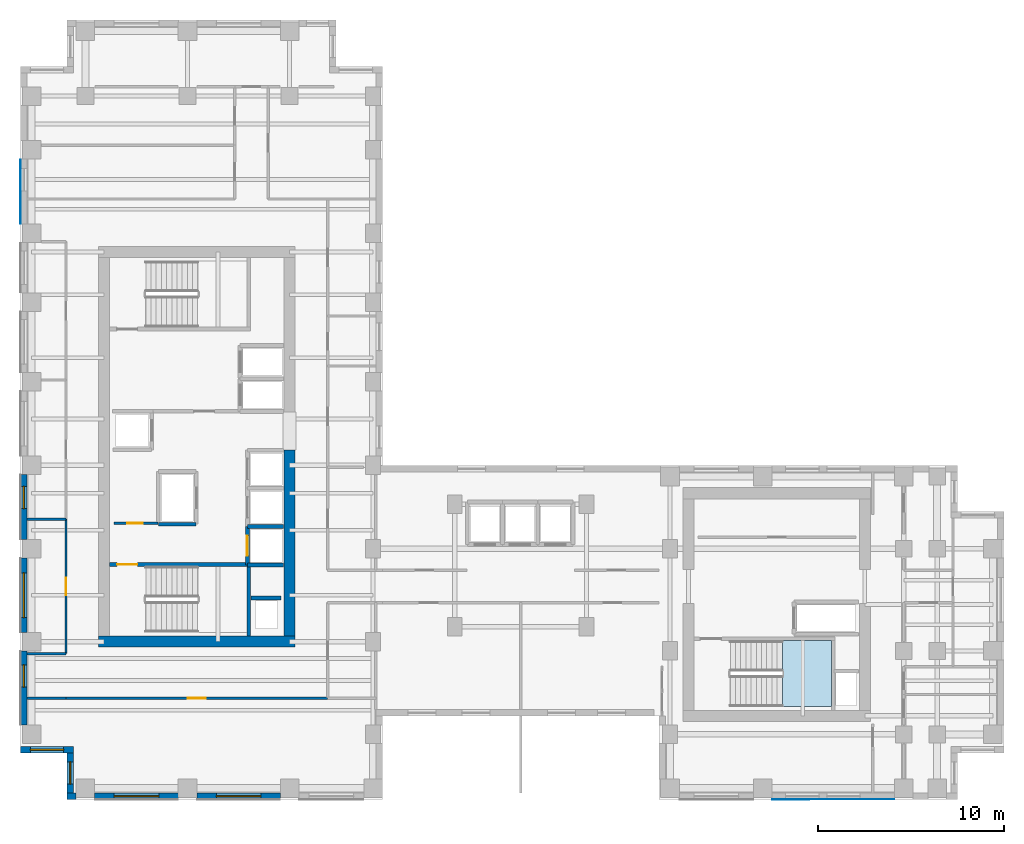
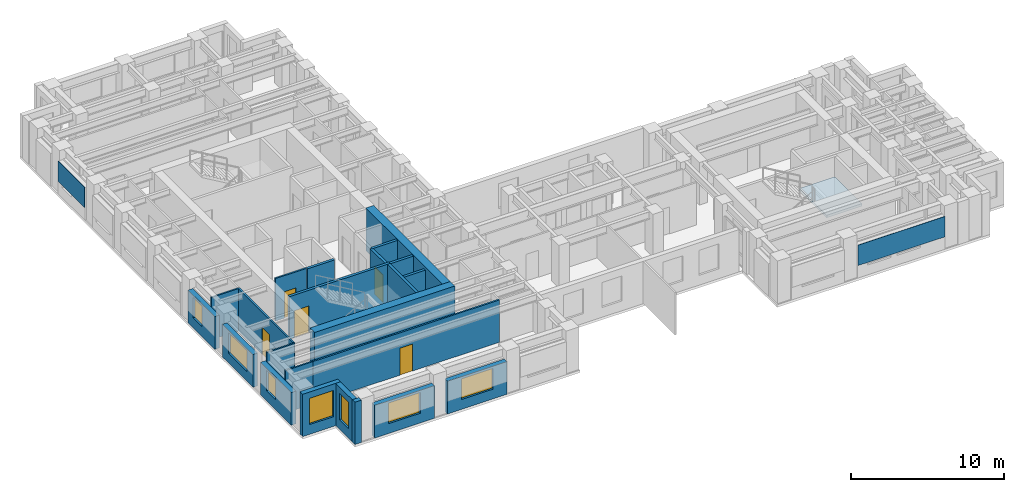
# One storey, part 4 of 12: 23 walls, 7 windows, 5 doors, 2 plates, 1 slab, 12 openings, 1 element without a shape of its own.
"""IFC4 building model written with IfcOpenShell, lengths in metres."""

from ifc_helpers import new_model, si_unit, direction, frame, frame_2d, origin, origin_2d, place, context, subcontext, project, spatial, polyline, rectangle, outline, extrude, source, transform, mapped, material, layer, layer_set, type_object, element, fill, aggregate, save


model = new_model("IFC4")

# Units and contexts
model_context = context("Model", 3, precision=1e-05, world=origin(), true_north=direction((0.0, 1.0)))
body_context = subcontext(model_context, "Body", "Model", "MODEL_VIEW")
ifc_project = project(units=[si_unit("LENGTHUNIT", "METRE"), si_unit("AREAUNIT", "SQUARE_METRE"), si_unit("VOLUMEUNIT", "CUBIC_METRE"), si_unit("PLANEANGLEUNIT", "RADIAN"), si_unit("MASSUNIT", "GRAM", prefix="KILO")], contexts=[model_context])

# Site, building, storey
site_placement = place(None, origin())
site = spatial("IfcSite", under=ifc_project, at=site_placement, CompositionType="ELEMENT")
building_placement = place(site_placement, origin())
building = spatial("IfcBuilding", under=site, at=building_placement, Name="Kharzan Plaza Tower", CompositionType="ELEMENT")
storey_placement = place(building_placement, frame((0.0, 0.0, 146.699951171875)))
storey = spatial("IfcBuildingStorey", under=building, at=storey_placement, Name="L39", CompositionType="ELEMENT", Elevation=146.699951171875)

# Stair, slab
ifc_material_1 = material(Name="Concrete C40/50", Category="concrete")
stair_type = type_object("IfcStairType", Name="STR-ST-3", PredefinedType="HALF_TURN_STAIR", material=ifc_material_1)
stair_placement = place(storey_placement, origin())
stair = element("IfcStair", 1, at=stair_placement, inside=storey, type_object=stair_type, Name="L39 Protected Exit Stair ST-3", PredefinedType="HALF_TURN_STAIR")
ifc_layer_1 = layer(ifc_material_1, 0.219970703125)
ifc_layer_set_1 = layer_set([ifc_layer_1], Name="Concrete C40/50")
slab_type = type_object("IfcSlabType", Name="SL-LANDING-220", PredefinedType="LANDING", material=ifc_layer_set_1)
slab_placement = place(storey_placement, frame((0.0, 0.0, 1.60009765625)))
slab = element("IfcSlab", 2, at=slab_placement, type_object=slab_type, Name="ST-3 landing 1", PredefinedType="LANDING", context=body_context, shape_type="SweptSolid", body=[
    extrude(outline(polyline([(41.050048828125, 5.0), (43.699951171875, 5.0), (43.699951171875, 8.550048828125), (41.050048828125, 8.550048828125), (41.050048828125, 5.0)])), origin(), (0.0, 0.0, 1.0), 0.199951171875),
])
aggregate(stair, [slab])

# Plates
ifc_material_2 = material(Name="Perforated Bronze-Anodized Aluminium", Category="aluminium")
ifc_layer_2 = layer(ifc_material_2, 0.030029296875)
ifc_layer_set_2 = layer_set([ifc_layer_2], Name="Perforated Bronze-Anodized Aluminium")
plate_type = type_object("IfcPlateType", Name="PLT-MASH-SCREEN", PredefinedType="SHEET", material=ifc_layer_set_2)
shared_shape_1 = source(origin(), body_context, "Body", "SweptSolid", [
    extrude(rectangle(XDim=3.464111328125, YDim=0.030029296875, at=origin_2d()), origin(), (0.0, 0.0, 1.0), 1.632080078125),
])
plate_1_placement = place(storey_placement, frame((-0.012939453125, 32.75, 1.01416015625), z_axis=(0.0, 0.0, 1.0), x_axis=(0.0, -1.0, 0.0)))
element("IfcPlate", 3, at=plate_1_placement, inside=storey, type_object=plate_type, Name="L39 Perforated Mashrabiya Solar Screen", PredefinedType="SHEET", context=body_context, shape_type="MappedRepresentation", body=[
    mapped(shared_shape_1, transform((0.0, 0.0, 0.0), x_axis=(1.0, 0.0, 0.0), y_axis=(0.0, 1.0, 0.0), z_axis=(0.0, 0.0, 1.0))),
])
shared_shape_2 = source(origin(), body_context, "Body", "SweptSolid", [
    extrude(rectangle(XDim=6.56396484375, YDim=0.030029296875, at=origin_2d()), origin(), (0.0, 0.0, 1.0), 1.632080078125),
])
plate_2_placement = place(storey_placement, frame((43.800048828125, -0.012939453125, 1.01416015625), z_axis=(0.0, 0.0, 1.0), x_axis=(1.0, 0.0, 0.0)))
element("IfcPlate", 4, at=plate_2_placement, inside=storey, type_object=plate_type, Name="L39 Perforated Mashrabiya Solar Screen", PredefinedType="SHEET", context=body_context, shape_type="MappedRepresentation", body=[
    mapped(shared_shape_2, transform((0.0, 0.0, 0.0), x_axis=(1.0, 0.0, 0.0), y_axis=(0.0, 1.0, 0.0), z_axis=(0.0, 0.0, 1.0))),
])

# Wall, opening, window
ifc_layer_3 = layer(ifc_material_1, 0.35009765625)
ifc_layer_set_3 = layer_set([ifc_layer_3], Name="Concrete C40/50")
wall_type_1 = type_object("IfcWallType", Name="WL-EXT-MAS-Z3", PredefinedType="SOLIDWALL", material=ifc_layer_set_3)
wall_1_placement = place(storey_placement, frame((0.175048828125, 17.501953125, 0.0), z_axis=(0.0, 0.0, 1.0), x_axis=(0.0, -1.0, 0.0)))
wall_1 = element("IfcWall", 5, at=wall_1_placement, inside=storey, type_object=wall_type_1, Name="L39 Masonry-Frame Exterior Wall 15", PredefinedType="SOLIDWALL", context=body_context, shape_type="SweptSolid", body=[
    extrude(rectangle(XDim=3.50390625, YDim=0.35009765625, at=frame_2d((1.751953125, 0.0))), origin(), (0.0, 0.0, 1.0), 2.612060546875),
])
opening_1_placement = place(wall_1_placement, frame((0.635986328125, 0.0, 0.780029296875)))
opening_1 = element("IfcOpeningElement", 6, at=opening_1_placement, cuts=wall_1, Name="Opening W3", PredefinedType="OPENING", context=body_context, shape_type="SweptSolid", body=[
    extrude(rectangle(XDim=1.199951171875, YDim=1.652099609375, at=frame_2d((0.60009765625, 0.826171875))), frame((0.0, 0.18505859375, 0.0), z_axis=(0.0, -1.0, 0.0), x_axis=(1.0, 0.0, 0.0)), (0.0, 0.0, 1.0), 0.3701171875),
])
ifc_material_3 = material(Name="Low-E Double Glazing", Category="glass")
window_type_1 = type_object("IfcWindowType", Name="WN-REC-1200x2100", PartitioningType="SINGLE_PANEL", PredefinedType="WINDOW", material=ifc_material_3)
shared_shape_3 = source(origin(), body_context, "Body", "SweptSolid", [
    extrude(rectangle(XDim=1.199951171875, YDim=1.652099609375, at=frame_2d((0.60009765625, 0.826171875))), frame((0.0, 0.030029296875, 0.0), z_axis=(0.0, -1.0, 0.0), x_axis=(1.0, 0.0, 0.0)), (0.0, 0.0, 1.0), 0.06005859375),
])
window_1_placement = place(opening_1_placement, origin())
window_1 = element("IfcWindow", 7, at=window_1_placement, inside=storey, type_object=window_type_1, Name="L39 Recessed Solar-Control Window 15-1", OverallHeight=1.652099609375, OverallWidth=1.199951171875, PartitioningType="SINGLE_PANEL", PredefinedType="WINDOW", context=body_context, shape_type="MappedRepresentation", body=[
    mapped(shared_shape_3, transform((0.0, 0.0, 0.0), x_axis=(1.0, 0.0, 0.0), y_axis=(0.0, 1.0, 0.0), z_axis=(0.0, 0.0, 1.0))),
])
fill(opening_1, window_1)

wall_2_placement = place(storey_placement, frame((0.175048828125, 13.001953125, 0.0), z_axis=(0.0, 0.0, 1.0), x_axis=(0.0, -1.0, 0.0)))
wall_2 = element("IfcWall", 8, at=wall_2_placement, inside=storey, type_object=wall_type_1, Name="L39 Masonry-Frame Exterior Wall 16", PredefinedType="SOLIDWALL", context=body_context, shape_type="SweptSolid", body=[
    extrude(rectangle(XDim=4.00390625, YDim=0.35009765625, at=frame_2d((2.001953125, 0.0))), origin(), (0.0, 0.0, 1.0), 2.612060546875),
])
opening_2_placement = place(wall_2_placement, frame((0.802001953125, 0.0, 0.780029296875)))
opening_2 = element("IfcOpeningElement", 9, at=opening_2_placement, cuts=wall_2, Name="Opening W2", PredefinedType="OPENING", context=body_context, shape_type="SweptSolid", body=[
    extrude(rectangle(XDim=2.39990234375, YDim=1.652099609375, at=frame_2d((1.199951171875, 0.826171875))), frame((0.0, 0.18505859375, 0.0), z_axis=(0.0, -1.0, 0.0), x_axis=(1.0, 0.0, 0.0)), (0.0, 0.0, 1.0), 0.3701171875),
])
window_type_2 = type_object("IfcWindowType", Name="WN-REC-2400x2100", PartitioningType="SINGLE_PANEL", PredefinedType="WINDOW", material=ifc_material_3)
shared_shape_4 = source(origin(), body_context, "Body", "SweptSolid", [
    extrude(rectangle(XDim=2.39990234375, YDim=1.652099609375, at=frame_2d((1.199951171875, 0.826171875))), frame((0.0, 0.030029296875, 0.0), z_axis=(0.0, -1.0, 0.0), x_axis=(1.0, 0.0, 0.0)), (0.0, 0.0, 1.0), 0.06005859375),
])
window_2_placement = place(opening_2_placement, origin())
window_2 = element("IfcWindow", 10, at=window_2_placement, inside=storey, type_object=window_type_2, Name="L39 Wide Recessed Solar-Control Window 16-1", OverallHeight=1.652099609375, OverallWidth=2.39990234375, PartitioningType="SINGLE_PANEL", PredefinedType="WINDOW", context=body_context, shape_type="MappedRepresentation", body=[
    mapped(shared_shape_4, transform((0.0, 0.0, 0.0), x_axis=(1.0, 0.0, 0.0), y_axis=(0.0, 1.0, 0.0), z_axis=(0.0, 0.0, 1.0))),
])
fill(opening_2, window_2)

wall_3_placement = place(storey_placement, frame((0.175048828125, 8.001953125, 0.0), z_axis=(0.0, 0.0, 1.0), x_axis=(0.0, -1.0, 0.0)))
wall_3 = element("IfcWall", 11, at=wall_3_placement, inside=storey, type_object=wall_type_1, Name="L39 Masonry-Frame Exterior Wall 17", PredefinedType="SOLIDWALL", context=body_context, shape_type="SweptSolid", body=[
    extrude(rectangle(XDim=4.00390625, YDim=0.35009765625, at=frame_2d((2.001953125, 0.0))), origin(), (0.0, 0.0, 1.0), 2.612060546875),
])
opening_3_placement = place(wall_3_placement, frame((0.751953125, 0.0, 0.780029296875)))
opening_3 = element("IfcOpeningElement", 12, at=opening_3_placement, cuts=wall_3, Name="Opening W3", PredefinedType="OPENING", context=body_context, shape_type="SweptSolid", body=[
    extrude(rectangle(XDim=1.199951171875, YDim=1.652099609375, at=frame_2d((0.60009765625, 0.826171875))), frame((0.0, 0.18505859375, 0.0), z_axis=(0.0, -1.0, 0.0), x_axis=(1.0, 0.0, 0.0)), (0.0, 0.0, 1.0), 0.3701171875),
])
window_3_placement = place(opening_3_placement, origin())
window_3 = element("IfcWindow", 13, at=window_3_placement, inside=storey, type_object=window_type_1, Name="L39 Recessed Solar-Control Window 17-1", OverallHeight=1.652099609375, OverallWidth=1.199951171875, PartitioningType="SINGLE_PANEL", PredefinedType="WINDOW", context=body_context, shape_type="MappedRepresentation", body=[
    mapped(shared_shape_3, transform((0.0, 0.0, 0.0), x_axis=(1.0, 0.0, 0.0), y_axis=(0.0, 1.0, 0.0), z_axis=(0.0, 0.0, 1.0))),
])
fill(opening_3, window_3)

wall_4_placement = place(storey_placement, frame((0.0, 2.675048828125, 0.0), z_axis=(0.0, 0.0, 1.0), x_axis=(1.0, 0.0, 0.0)))
wall_4 = element("IfcWall", 14, at=wall_4_placement, inside=storey, type_object=wall_type_1, Name="L39 Masonry-Frame Exterior Wall 18", PredefinedType="SOLIDWALL", context=body_context, shape_type="SweptSolid", body=[
    extrude(rectangle(XDim=2.85009765625, YDim=0.35009765625, at=frame_2d((1.425048828125, 0.0))), origin(), (0.0, 0.0, 1.0), 3.385009765625),
])
opening_4_placement = place(wall_4_placement, frame((0.52490234375, 0.0, 0.780029296875)))
opening_4 = element("IfcOpeningElement", 15, at=opening_4_placement, cuts=wall_4, Name="Opening W1", PredefinedType="OPENING", context=body_context, shape_type="SweptSolid", body=[
    extrude(rectangle(XDim=1.800048828125, YDim=2.10009765625, at=frame_2d((0.89990234375, 1.050048828125))), frame((0.0, 0.18505859375, 0.0), z_axis=(0.0, -1.0, 0.0), x_axis=(1.0, 0.0, 0.0)), (0.0, 0.0, 1.0), 0.3701171875),
])
window_type_3 = type_object("IfcWindowType", Name="WN-REC-1800x2100", PartitioningType="SINGLE_PANEL", PredefinedType="WINDOW", material=ifc_material_3)
shared_shape_5 = source(origin(), body_context, "Body", "SweptSolid", [
    extrude(rectangle(XDim=1.800048828125, YDim=2.10009765625, at=frame_2d((0.89990234375, 1.050048828125))), frame((0.0, 0.030029296875, 0.0), z_axis=(0.0, -1.0, 0.0), x_axis=(1.0, 0.0, 0.0)), (0.0, 0.0, 1.0), 0.06005859375),
])
window_4_placement = place(opening_4_placement, origin())
window_4 = element("IfcWindow", 16, at=window_4_placement, inside=storey, type_object=window_type_3, Name="L39 Recessed Solar-Control Window 18-1", OverallHeight=2.10009765625, OverallWidth=1.800048828125, PartitioningType="SINGLE_PANEL", PredefinedType="WINDOW", context=body_context, shape_type="MappedRepresentation", body=[
    mapped(shared_shape_5, transform((0.0, 0.0, 0.0), x_axis=(1.0, 0.0, 0.0), y_axis=(0.0, 1.0, 0.0), z_axis=(0.0, 0.0, 1.0))),
])
fill(opening_4, window_4)

wall_5_placement = place(storey_placement, frame((2.675048828125, 2.501953125, 0.0), z_axis=(0.0, 0.0, 1.0), x_axis=(0.0, -1.0, 0.0)))
wall_5 = element("IfcWall", 17, at=wall_5_placement, inside=storey, type_object=wall_type_1, Name="L39 Masonry-Frame Exterior Wall 19", PredefinedType="SOLIDWALL", context=body_context, shape_type="SweptSolid", body=[
    extrude(rectangle(XDim=2.154052734375, YDim=0.35009765625, at=frame_2d((1.0771484375, 0.0))), origin(), (0.0, 0.0, 1.0), 3.385009765625),
])
opening_5_placement = place(wall_5_placement, frame((0.47705078125, 0.0, 0.780029296875)))
opening_5 = element("IfcOpeningElement", 18, at=opening_5_placement, cuts=wall_5, Name="Opening W3", PredefinedType="OPENING", context=body_context, shape_type="SweptSolid", body=[
    extrude(rectangle(XDim=1.199951171875, YDim=2.10009765625, at=frame_2d((0.60009765625, 1.050048828125))), frame((0.0, 0.18505859375, 0.0), z_axis=(0.0, -1.0, 0.0), x_axis=(1.0, 0.0, 0.0)), (0.0, 0.0, 1.0), 0.3701171875),
])
shared_shape_6 = source(origin(), body_context, "Body", "SweptSolid", [
    extrude(rectangle(XDim=1.199951171875, YDim=2.10009765625, at=frame_2d((0.60009765625, 1.050048828125))), frame((0.0, 0.030029296875, 0.0), z_axis=(0.0, -1.0, 0.0), x_axis=(1.0, 0.0, 0.0)), (0.0, 0.0, 1.0), 0.06005859375),
])
window_5_placement = place(opening_5_placement, origin())
window_5 = element("IfcWindow", 19, at=window_5_placement, inside=storey, type_object=window_type_1, Name="L39 Recessed Solar-Control Window 19-1", OverallHeight=2.10009765625, OverallWidth=1.199951171875, PartitioningType="SINGLE_PANEL", PredefinedType="WINDOW", context=body_context, shape_type="MappedRepresentation", body=[
    mapped(shared_shape_6, transform((0.0, 0.0, 0.0), x_axis=(1.0, 0.0, 0.0), y_axis=(0.0, 1.0, 0.0), z_axis=(0.0, 0.0, 1.0))),
])
fill(opening_5, window_5)

wall_6_placement = place(storey_placement, frame((3.998046875, 0.175048828125, 0.0), z_axis=(0.0, 0.0, 1.0), x_axis=(1.0, 0.0, 0.0)))
wall_6 = element("IfcWall", 20, at=wall_6_placement, inside=storey, type_object=wall_type_1, Name="L39 Masonry-Frame Exterior Wall 21", PredefinedType="SOLIDWALL", context=body_context, shape_type="SweptSolid", body=[
    extrude(rectangle(XDim=4.50390625, YDim=0.35009765625, at=frame_2d((2.251953125, 0.0))), origin(), (0.0, 0.0, 1.0), 2.612060546875),
])
opening_6_placement = place(wall_6_placement, frame((1.052001953125, 0.0, 0.780029296875)))
opening_6 = element("IfcOpeningElement", 21, at=opening_6_placement, cuts=wall_6, Name="Opening W2", PredefinedType="OPENING", context=body_context, shape_type="SweptSolid", body=[
    extrude(rectangle(XDim=2.39990234375, YDim=1.652099609375, at=frame_2d((1.199951171875, 0.826171875))), frame((0.0, 0.18505859375, 0.0), z_axis=(0.0, -1.0, 0.0), x_axis=(1.0, 0.0, 0.0)), (0.0, 0.0, 1.0), 0.3701171875),
])
window_6_placement = place(opening_6_placement, origin())
window_6 = element("IfcWindow", 22, at=window_6_placement, inside=storey, type_object=window_type_2, Name="L39 Wide Recessed Solar-Control Window 21-1", OverallHeight=1.652099609375, OverallWidth=2.39990234375, PartitioningType="SINGLE_PANEL", PredefinedType="WINDOW", context=body_context, shape_type="MappedRepresentation", body=[
    mapped(shared_shape_4, transform((0.0, 0.0, 0.0), x_axis=(1.0, 0.0, 0.0), y_axis=(0.0, 1.0, 0.0), z_axis=(0.0, 0.0, 1.0))),
])
fill(opening_6, window_6)

wall_7_placement = place(storey_placement, frame((9.498046875, 0.175048828125, 0.0), z_axis=(0.0, 0.0, 1.0), x_axis=(1.0, 0.0, 0.0)))
wall_7 = element("IfcWall", 23, at=wall_7_placement, inside=storey, type_object=wall_type_1, Name="L39 Masonry-Frame Exterior Wall 22", PredefinedType="SOLIDWALL", context=body_context, shape_type="SweptSolid", body=[
    extrude(rectangle(XDim=4.50390625, YDim=0.35009765625, at=frame_2d((2.251953125, 0.0))), origin(), (0.0, 0.0, 1.0), 2.612060546875),
])
opening_7_placement = place(wall_7_placement, frame((1.052001953125, 0.0, 0.780029296875)))
opening_7 = element("IfcOpeningElement", 24, at=opening_7_placement, cuts=wall_7, Name="Opening W2", PredefinedType="OPENING", context=body_context, shape_type="SweptSolid", body=[
    extrude(rectangle(XDim=2.39990234375, YDim=1.652099609375, at=frame_2d((1.199951171875, 0.826171875))), frame((0.0, 0.18505859375, 0.0), z_axis=(0.0, -1.0, 0.0), x_axis=(1.0, 0.0, 0.0)), (0.0, 0.0, 1.0), 0.3701171875),
])
window_7_placement = place(opening_7_placement, origin())
window_7 = element("IfcWindow", 25, at=window_7_placement, inside=storey, type_object=window_type_2, Name="L39 Wide Recessed Solar-Control Window 22-1", OverallHeight=1.652099609375, OverallWidth=2.39990234375, PartitioningType="SINGLE_PANEL", PredefinedType="WINDOW", context=body_context, shape_type="MappedRepresentation", body=[
    mapped(shared_shape_4, transform((0.0, 0.0, 0.0), x_axis=(1.0, 0.0, 0.0), y_axis=(0.0, 1.0, 0.0), z_axis=(0.0, 0.0, 1.0))),
])
fill(opening_7, window_7)

# Wall, opening, door
ifc_material_4 = material(Name="Fire-Rated Gypsum Board Partition", Category="gypsum")
ifc_layer_4 = layer(ifc_material_4, 0.125)
ifc_layer_set_4 = layer_set([ifc_layer_4], Name="Fire-Rated Gypsum Board Partition")
wall_type_2 = type_object("IfcWallType", Name="WL-INT-PART-125", PredefinedType="PARTITIONING", material=ifc_layer_set_4)
wall_8_placement = place(storey_placement, frame((5.050048828125, 14.8798828125, 0.0), z_axis=(0.0, 0.0, 1.0), x_axis=(1.0, 0.0, 0.0)))
wall_8 = element("IfcWall", 26, at=wall_8_placement, inside=storey, type_object=wall_type_2, Name="L39 Interior Partition CA-K0", PredefinedType="PARTITIONING", context=body_context, shape_type="SweptSolid", body=[
    extrude(rectangle(XDim=2.349853515625, YDim=0.125, at=frame_2d((1.1748046875, 0.0))), origin(), (0.0, 0.0, 1.0), 3.385009765625),
])
opening_8_placement = place(wall_8_placement, frame((0.699951171875, 0.0, 0.0)))
opening_8 = element("IfcOpeningElement", 27, at=opening_8_placement, cuts=wall_8, Name="Opening RD1", PredefinedType="OPENING", context=body_context, shape_type="SweptSolid", body=[
    extrude(rectangle(XDim=0.85009765625, YDim=2.10009765625, at=frame_2d((0.425048828125, 1.050048828125))), frame((0.0, 0.072509765625, 0.0), z_axis=(0.0, -1.0, 0.0), x_axis=(1.0, 0.0, 0.0)), (0.0, 0.0, 1.0), 0.14501953125),
])
ifc_material_5 = material(Name="Powder-Coated Fire-Rated Steel", Category="steel")
door_type_1 = type_object("IfcDoorType", Name="DR-RISER-900", OperationType="NOTDEFINED", PredefinedType="DOOR", material=ifc_material_5)
shared_shape_7 = source(origin(), body_context, "Body", "SweptSolid", [
    extrude(rectangle(XDim=0.85009765625, YDim=2.10009765625, at=frame_2d((0.425048828125, 1.050048828125))), frame((0.0, 0.02490234375, 0.0), z_axis=(0.0, -1.0, 0.0), x_axis=(1.0, 0.0, 0.0)), (0.0, 0.0, 1.0), 0.050048828125),
])
door_1_placement = place(opening_8_placement, origin())
door_1 = element("IfcDoor", 28, at=door_1_placement, inside=storey, type_object=door_type_1, Name="L39 Cleaners Store Door", OperationType="SINGLE_SWING_RIGHT", OverallHeight=2.10009765625, OverallWidth=0.85009765625, PredefinedType="DOOR", context=body_context, shape_type="MappedRepresentation", body=[
    mapped(shared_shape_7, transform((0.0, 0.0, 0.0), x_axis=(1.0, 0.0, 0.0), y_axis=(0.0, 1.0, 0.0), z_axis=(0.0, 0.0, 1.0))),
])
fill(opening_8, door_1)

wall_9_placement = place(storey_placement, frame((2.449951171875, 5.449951171875, 0.0), z_axis=(0.0, 0.0, 1.0), x_axis=(1.0, 0.0, 0.0)))
wall_9 = element("IfcWall", 29, at=wall_9_placement, inside=storey, type_object=wall_type_2, Name="L39 Interior Partition SH-SS-1", PredefinedType="PARTITIONING", context=body_context, shape_type="SweptSolid", body=[
    extrude(rectangle(XDim=14.10009765625, YDim=0.125, at=frame_2d((7.050048828125, 0.0))), origin(), (0.0, 0.0, 1.0), 3.385009765625),
])
opening_9_placement = place(wall_9_placement, frame((6.574951171875, 0.0, 0.0)))
opening_9 = element("IfcOpeningElement", 30, at=opening_9_placement, cuts=wall_9, Name="Opening OD1", PredefinedType="OPENING", context=body_context, shape_type="SweptSolid", body=[
    extrude(rectangle(XDim=0.949951171875, YDim=2.14990234375, at=frame_2d((0.47509765625, 1.074951171875))), frame((0.0, 0.072509765625, 0.0), z_axis=(0.0, -1.0, 0.0), x_axis=(1.0, 0.0, 0.0)), (0.0, 0.0, 1.0), 0.14501953125),
])
ifc_material_6 = material(Name="Acoustic Solid-Core Stained Oak", Category="timber")
door_type_2 = type_object("IfcDoorType", Name="DR-OFF-SINGLE", OperationType="NOTDEFINED", PredefinedType="DOOR", material=ifc_material_6)
shared_shape_8 = source(origin(), body_context, "Body", "SweptSolid", [
    extrude(rectangle(XDim=0.949951171875, YDim=2.14990234375, at=frame_2d((0.47509765625, 1.074951171875))), frame((0.0, 0.02490234375, 0.0), z_axis=(0.0, -1.0, 0.0), x_axis=(1.0, 0.0, 0.0)), (0.0, 0.0, 1.0), 0.050048828125),
])
door_2_placement = place(opening_9_placement, origin())
door_2 = element("IfcDoor", 31, at=door_2_placement, inside=storey, type_object=door_type_2, Name="L39 Staff Tea Pantry Door", OperationType="SINGLE_SWING_RIGHT", OverallHeight=2.14990234375, OverallWidth=0.949951171875, PredefinedType="DOOR", context=body_context, shape_type="MappedRepresentation", body=[
    mapped(shared_shape_8, transform((0.0, 0.0, 0.0), x_axis=(1.0, 0.0, 0.0), y_axis=(0.0, 1.0, 0.0), z_axis=(0.0, 0.0, 1.0))),
])
fill(opening_9, door_2)

wall_10_placement = place(storey_placement, frame((2.449951171875, 7.85009765625, 0.0), z_axis=(0.0, 0.0, 1.0), x_axis=(0.0, 1.0, 0.0)))
wall_10 = element("IfcWall", 32, at=wall_10_placement, inside=storey, type_object=wall_type_2, Name="L39 Interior Partition SH-WW-1", PredefinedType="PARTITIONING", context=body_context, shape_type="SweptSolid", body=[
    extrude(rectangle(XDim=7.25, YDim=0.125, at=frame_2d((3.625, 0.0))), origin(), (0.0, 0.0, 1.0), 3.385009765625),
])
opening_10_placement = place(wall_10_placement, frame((3.14990234375, 0.0, 0.0)))
opening_10 = element("IfcOpeningElement", 33, at=opening_10_placement, cuts=wall_10, Name="Opening OD1", PredefinedType="OPENING", context=body_context, shape_type="SweptSolid", body=[
    extrude(rectangle(XDim=0.949951171875, YDim=2.14990234375, at=frame_2d((0.47509765625, 1.074951171875))), frame((0.0, 0.072509765625, 0.0), z_axis=(0.0, -1.0, 0.0), x_axis=(1.0, 0.0, 0.0)), (0.0, 0.0, 1.0), 0.14501953125),
])
door_3_placement = place(opening_10_placement, origin())
door_3 = element("IfcDoor", 34, at=door_3_placement, inside=storey, type_object=door_type_2, Name="L39 Client Briefing Room Door", OperationType="SINGLE_SWING_LEFT", OverallHeight=2.14990234375, OverallWidth=0.949951171875, PredefinedType="DOOR", context=body_context, shape_type="MappedRepresentation", body=[
    mapped(shared_shape_8, transform((0.0, 0.0, 0.0), x_axis=(1.0, 0.0, 0.0), y_axis=(0.0, 1.0, 0.0), z_axis=(0.0, 0.0, 1.0))),
])
fill(opening_10, door_3)

ifc_layer_5 = layer(ifc_material_1, 0.199951171875)
ifc_layer_set_5 = layer_set([ifc_layer_5], Name="Concrete C40/50")
wall_type_3 = type_object("IfcWallType", Name="WL-INT-SHAFT-200", PredefinedType="PARTITIONING", material=ifc_layer_set_5)
wall_11_placement = place(storey_placement, frame((12.22998046875, 12.6298828125, 0.0), z_axis=(0.0, 0.0, 1.0), x_axis=(0.0, 1.0, 0.0)))
wall_11 = element("IfcWall", 35, at=wall_11_placement, inside=storey, type_object=wall_type_3, Name="L39 Interior Partition SHF-PL-H1-W", PredefinedType="PARTITIONING", context=body_context, shape_type="SweptSolid", body=[
    extrude(rectangle(XDim=2.070068359375, YDim=0.199951171875, at=frame_2d((1.03515625, 0.0))), origin(), (0.0, 0.0, 1.0), 3.385009765625),
])
opening_11_placement = place(wall_11_placement, frame((0.485107421875, 0.0, 0.0)))
opening_11 = element("IfcOpeningElement", 36, at=opening_11_placement, cuts=wall_11, Name="Opening LD", PredefinedType="OPENING", context=body_context, shape_type="SweptSolid", body=[
    extrude(rectangle(XDim=1.10009765625, YDim=2.199951171875, at=frame_2d((0.550048828125, 1.10009765625))), frame((0.0, 0.10986328125, 0.0), z_axis=(0.0, -1.0, 0.0), x_axis=(1.0, 0.0, 0.0)), (0.0, 0.0, 1.0), 0.219970703125),
])
ifc_material_7 = material(Name="Brushed Stainless Steel", Category="steel")
door_type_3 = type_object("IfcDoorType", Name="DR-LIFT-SLIDE", OperationType="SLIDING_TO_LEFT", PredefinedType="DOOR", material=ifc_material_7)
shared_shape_9 = source(origin(), body_context, "Body", "SweptSolid", [
    extrude(rectangle(XDim=1.10009765625, YDim=2.199951171875, at=frame_2d((0.550048828125, 1.10009765625))), frame((0.0, 0.02490234375, 0.0), z_axis=(0.0, -1.0, 0.0), x_axis=(1.0, 0.0, 0.0)), (0.0, 0.0, 1.0), 0.050048828125),
])
door_4_placement = place(opening_11_placement, origin())
door_4 = element("IfcDoor", 37, at=door_4_placement, inside=storey, type_object=door_type_3, Name="L39 High-Rise Passenger Lift PL-H1 Sliding Landing Door", OperationType="SLIDING_TO_LEFT", OverallHeight=2.199951171875, OverallWidth=1.10009765625, PredefinedType="DOOR", context=body_context, shape_type="MappedRepresentation", body=[
    mapped(shared_shape_9, transform((0.0, 0.0, 0.0), x_axis=(1.0, 0.0, 0.0), y_axis=(0.0, 1.0, 0.0), z_axis=(0.0, 0.0, 1.0))),
])
fill(opening_11, door_4)

ifc_material_8 = material(Name="Concrete C50/60", Category="concrete")
ifc_layer_6 = layer(ifc_material_8, 0.199951171875)
ifc_layer_set_6 = layer_set([ifc_layer_6], Name="Concrete C50/60")
wall_type_4 = type_object("IfcWallType", Name="WL-SHAFT-RC200", PredefinedType="SHEAR", material=ifc_layer_set_6)
wall_12_placement = place(storey_placement, frame((4.802001953125, 12.655029296875, 0.0), z_axis=(0.0, 0.0, 1.0), x_axis=(1.0, 0.0, 0.0)))
wall_12 = element("IfcWall", 38, at=wall_12_placement, inside=storey, type_object=wall_type_4, Name="L39 Stair ST-1 North RC Shaft Wall", PredefinedType="SHEAR", context=body_context, shape_type="SweptSolid", body=[
    extrude(rectangle(XDim=7.60302734375, YDim=0.199951171875, at=frame_2d((3.801513671875, 0.0))), origin(), (0.0, 0.0, 1.0), 3.400146484375),
])
opening_12_placement = place(wall_12_placement, frame((0.39990234375, 0.0, 0.0)))
opening_12 = element("IfcOpeningElement", 39, at=opening_12_placement, cuts=wall_12, Name="Opening SD1", PredefinedType="OPENING", context=body_context, shape_type="SweptSolid", body=[
    extrude(rectangle(XDim=1.10009765625, YDim=2.14990234375, at=frame_2d((0.550048828125, 1.074951171875))), frame((0.0, 0.10986328125, 0.0), z_axis=(0.0, -1.0, 0.0), x_axis=(1.0, 0.0, 0.0)), (0.0, 0.0, 1.0), 0.219970703125),
])
ifc_material_9 = material(Name="Fire-Rated Hollow Galvanized Steel", Category="steel")
door_type_4 = type_object("IfcDoorType", Name="DR-STAIR-FD120", OperationType="NOTDEFINED", PredefinedType="DOOR", material=ifc_material_9)
shared_shape_10 = source(origin(), body_context, "Body", "SweptSolid", [
    extrude(rectangle(XDim=1.10009765625, YDim=2.14990234375, at=frame_2d((0.550048828125, 1.074951171875))), frame((0.0, 0.02490234375, 0.0), z_axis=(0.0, -1.0, 0.0), x_axis=(1.0, 0.0, 0.0)), (0.0, 0.0, 1.0), 0.050048828125),
])
door_5_placement = place(opening_12_placement, origin())
door_5 = element("IfcDoor", 40, at=door_5_placement, inside=storey, type_object=door_type_4, Name="L39 Stair ST-1 Fire Exit Door", OperationType="SINGLE_SWING_LEFT", OverallHeight=2.14990234375, OverallWidth=1.10009765625, PredefinedType="DOOR", context=body_context, shape_type="MappedRepresentation", body=[
    mapped(shared_shape_10, transform((0.0, 0.0, 0.0), x_axis=(1.0, 0.0, 0.0), y_axis=(0.0, 1.0, 0.0), z_axis=(0.0, 0.0, 1.0))),
])
fill(opening_12, door_5)

# Walls
shared_shape_11 = source(origin(), body_context, "Body", "SweptSolid", [
    extrude(rectangle(XDim=0.501953125, YDim=0.35009765625, at=frame_2d((0.2509765625, 0.0))), origin(), (0.0, 0.0, 1.0), 3.385009765625),
])
wall_13_placement = place(storey_placement, frame((2.5, 0.175048828125, 0.0), z_axis=(0.0, 0.0, 1.0), x_axis=(1.0, 0.0, 0.0)))
element("IfcWall", 41, at=wall_13_placement, inside=storey, type_object=wall_type_1, Name="L39 Masonry-Frame Exterior Wall 20", PredefinedType="SOLIDWALL", context=body_context, shape_type="MappedRepresentation", body=[
    mapped(shared_shape_11, transform((0.0, 0.0, 0.0), x_axis=(1.0, 0.0, 0.0), y_axis=(0.0, 1.0, 0.0), z_axis=(0.0, 0.0, 1.0))),
])
shared_shape_12 = source(origin(), body_context, "Body", "SweptSolid", [
    extrude(rectangle(XDim=2.097900390625, YDim=0.125, at=frame_2d((1.048828125, 0.0))), origin(), (0.0, 0.0, 1.0), 3.385009765625),
])
for number, where, z_axis, x_axis, name in (
    (42, (0.35205078125, 7.85009765625, 0.0), (0.0, 0.0, 1.0), (1.0, 0.0, 0.0), "L39 Interior Partition SH-RWS0"),
    (43, (0.35205078125, 5.449951171875, 0.0), (0.0, 0.0, 1.0), (1.0, 0.0, 0.0), "L39 Interior Partition SH-SS-EXT"),
    (44, (0.35205078125, 15.10009765625, 0.0), (0.0, 0.0, 1.0), (1.0, 0.0, 0.0), "L39 Interior Partition SH-WH-1"),
):
    element("IfcWall", number, at=place(storey_placement, frame(where, z_axis=z_axis, x_axis=x_axis)), inside=storey, type_object=wall_type_2, Name=name, PredefinedType="PARTITIONING", context=body_context, shape_type="MappedRepresentation", body=[
        mapped(shared_shape_12, transform((0.0, 0.0, 0.0), x_axis=(1.0, 0.0, 0.0), y_axis=(0.0, 1.0, 0.0), z_axis=(0.0, 0.0, 1.0))),
    ])
shared_shape_13 = source(origin(), body_context, "Body", "SweptSolid", [
    extrude(rectangle(XDim=1.630126953125, YDim=0.199951171875, at=frame_2d((0.81494140625, 0.0))), origin(), (0.0, 0.0, 1.0), 3.385009765625),
])
wall_14_placement = place(storey_placement, frame((12.419921875, 10.85009765625, 0.0), z_axis=(0.0, 0.0, 1.0), x_axis=(1.0, 0.0, 0.0)))
element("IfcWall", 45, at=wall_14_placement, inside=storey, type_object=wall_type_3, Name="L39 Interior Partition CA-RSRA-N", PredefinedType="PARTITIONING", context=body_context, shape_type="MappedRepresentation", body=[
    mapped(shared_shape_13, transform((0.0, 0.0, 0.0), x_axis=(1.0, 0.0, 0.0), y_axis=(0.0, 1.0, 0.0), z_axis=(0.0, 0.0, 1.0))),
])
shared_shape_14 = source(origin(), body_context, "Body", "SweptSolid", [
    extrude(rectangle(XDim=1.93994140625, YDim=0.199951171875, at=frame_2d((0.969970703125, 0.0))), origin(), (0.0, 0.0, 1.0), 3.385009765625),
])
for number, where, z_axis, x_axis, name in (
    (46, (12.22998046875, 14.699951171875, 0.0), (0.0, 0.0, 1.0), (1.0, 0.0, 0.0), "L39 Interior Partition SHF-PL-H1-N"),
    (47, (12.22998046875, 12.6298828125, 0.0), (0.0, 0.0, 1.0), (1.0, 0.0, 0.0), "L39 Interior Partition SHF-PL-H1-S"),
):
    element("IfcWall", number, at=place(storey_placement, frame(where, z_axis=z_axis, x_axis=x_axis)), inside=storey, type_object=wall_type_3, Name=name, PredefinedType="PARTITIONING", context=body_context, shape_type="MappedRepresentation", body=[
        mapped(shared_shape_14, transform((0.0, 0.0, 0.0), x_axis=(1.0, 0.0, 0.0), y_axis=(0.0, 1.0, 0.0), z_axis=(0.0, 0.0, 1.0))),
    ])
shared_shape_15 = source(origin(), body_context, "Body", "SweptSolid", [
    extrude(rectangle(XDim=2.0400390625, YDim=0.199951171875, at=frame_2d((1.02001953125, 0.0))), origin(), (0.0, 0.0, 1.0), 3.385009765625),
])
wall_15_placement = place(storey_placement, frame((7.429931640625, 14.830078125, 0.0), z_axis=(0.0, 0.0, 1.0), x_axis=(1.0, 0.0, 0.0)))
element("IfcWall", 48, at=wall_15_placement, inside=storey, type_object=wall_type_3, Name="L39 Interior Partition SHF-SVL-1-S", PredefinedType="PARTITIONING", context=body_context, shape_type="MappedRepresentation", body=[
    mapped(shared_shape_15, transform((0.0, 0.0, 0.0), x_axis=(1.0, 0.0, 0.0), y_axis=(0.0, 1.0, 0.0), z_axis=(0.0, 0.0, 1.0))),
])
ifc_layer_7 = layer(ifc_material_8, 0.60009765625)
ifc_layer_set_7 = layer_set([ifc_layer_7], Name="Concrete C50/60")
wall_type_5 = type_object("IfcWallType", Name="WL-CORE-600", PredefinedType="SHEAR", material=ifc_layer_set_7)
shared_shape_16 = source(origin(), body_context, "Body", "SweptSolid", [
    extrude(rectangle(XDim=10.02001953125, YDim=0.60009765625, at=frame_2d((5.010009765625, 0.0))), origin(), (0.0, 0.0, 1.0), 3.400146484375),
])
wall_16_placement = place(storey_placement, frame((14.5, 8.800048828125, 0.0), z_axis=(0.0, 0.0, 1.0), x_axis=(0.0, 1.0, 0.0)))
element("IfcWall", 49, at=wall_16_placement, inside=storey, type_object=wall_type_5, Name="L39 CORE-A east shear pier 1", PredefinedType="SHEAR", context=body_context, shape_type="MappedRepresentation", body=[
    mapped(shared_shape_16, transform((0.0, 0.0, 0.0), x_axis=(1.0, 0.0, 0.0), y_axis=(0.0, 1.0, 0.0), z_axis=(0.0, 0.0, 1.0))),
])
shared_shape_17 = source(origin(), body_context, "Body", "SweptSolid", [
    extrude(rectangle(XDim=10.60009765625, YDim=0.60009765625, at=frame_2d((5.300048828125, 0.0))), origin(), (0.0, 0.0, 1.0), 3.400146484375),
])
wall_17_placement = place(storey_placement, frame((4.199951171875, 8.5, 0.0), z_axis=(0.0, 0.0, 1.0), x_axis=(1.0, 0.0, 0.0)))
element("IfcWall", 50, at=wall_17_placement, inside=storey, type_object=wall_type_5, Name="L39 CORE-A south RC shear wall", PredefinedType="SHEAR", context=body_context, shape_type="MappedRepresentation", body=[
    mapped(shared_shape_17, transform((0.0, 0.0, 0.0), x_axis=(1.0, 0.0, 0.0), y_axis=(0.0, 1.0, 0.0), z_axis=(0.0, 0.0, 1.0))),
])
shared_shape_18 = source(origin(), body_context, "Body", "SweptSolid", [
    extrude(rectangle(XDim=3.7529296875, YDim=0.199951171875, at=frame_2d((1.87646484375, 0.0))), origin(), (0.0, 0.0, 1.0), 3.400146484375),
])
wall_18_placement = place(storey_placement, frame((12.304931640625, 8.802001953125, 0.0), z_axis=(0.0, 0.0, 1.0), x_axis=(0.0, 1.0, 0.0)))
element("IfcWall", 51, at=wall_18_placement, inside=storey, type_object=wall_type_4, Name="L39 Stair ST-1 East RC Shaft Wall", PredefinedType="SHEAR", context=body_context, shape_type="MappedRepresentation", body=[
    mapped(shared_shape_18, transform((0.0, 0.0, 0.0), x_axis=(1.0, 0.0, 0.0), y_axis=(0.0, 1.0, 0.0), z_axis=(0.0, 0.0, 1.0))),
])

save(model, "model.ifc")
